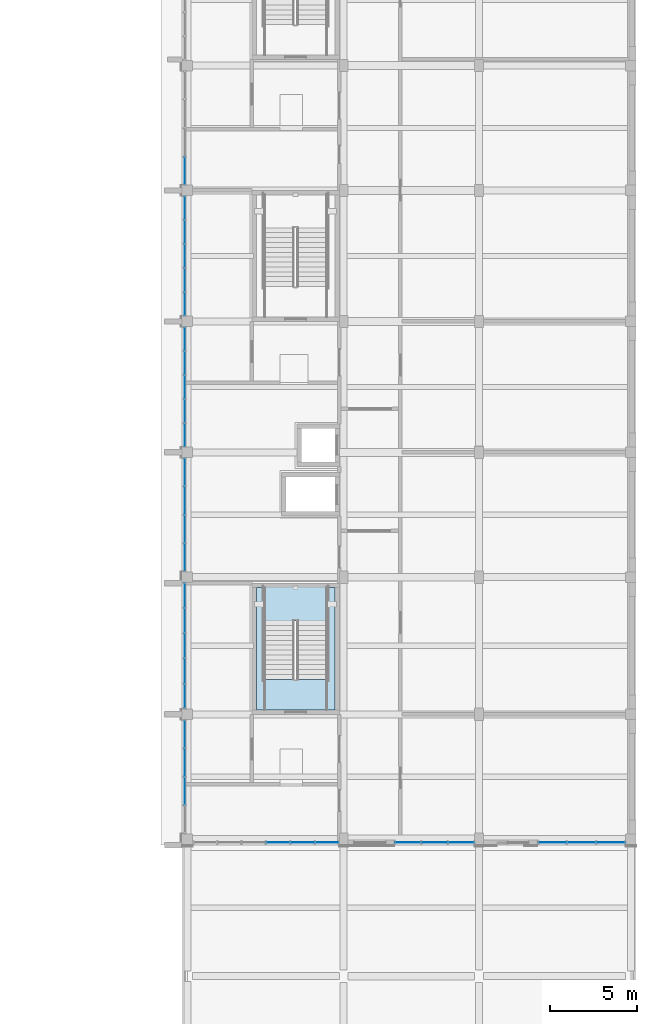
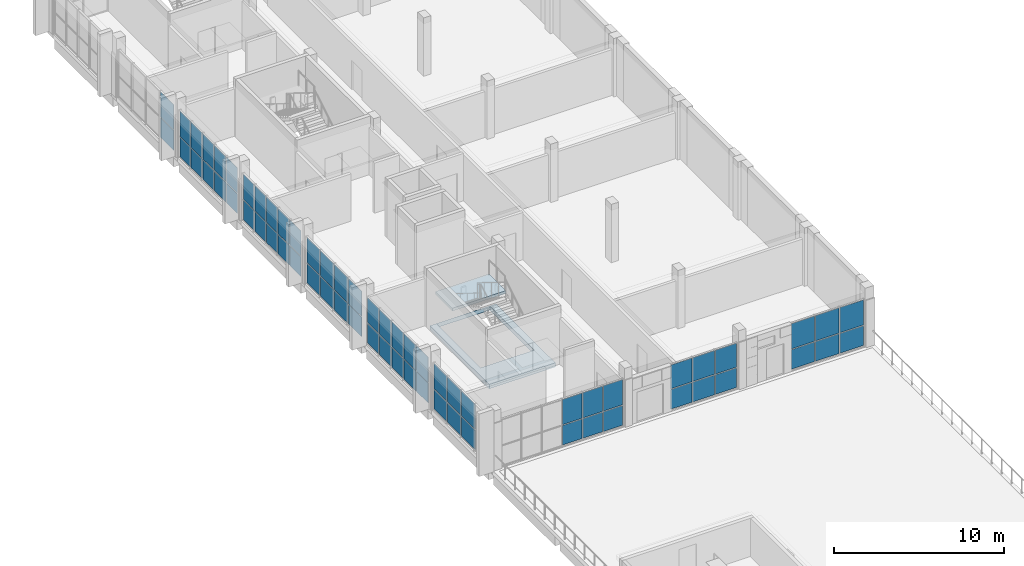
# One storey, part 24 of 42: 64 plates, 2 slabs, 10 elements without a shape of their own.
"""IFC4 building model written with IfcOpenShell, lengths in metres."""

from ifc_helpers import new_model, si_unit, direction, frame, origin, origin_2d, place, context, subcontext, project, spatial, polyline, rectangle, outline, extrude, material, layer, layer_set, type_object, element, aggregate, save


model = new_model("IFC4")

# Units and contexts
model_context = context("Model", 3, precision=1e-05, world=origin(), true_north=direction((0.0, 1.0)))
body_context = subcontext(model_context, "Body", "Model", "MODEL_VIEW")
ifc_project = project(units=[si_unit("LENGTHUNIT", "METRE"), si_unit("AREAUNIT", "SQUARE_METRE"), si_unit("VOLUMEUNIT", "CUBIC_METRE"), si_unit("PLANEANGLEUNIT", "RADIAN"), si_unit("MASSUNIT", "GRAM", prefix="KILO")], contexts=[model_context])

# Site, building, storey
site_placement = place(None, origin())
site = spatial("IfcSite", under=ifc_project, at=site_placement, CompositionType="ELEMENT")
building_placement = place(site_placement, origin())
building = spatial("IfcBuilding", under=site, at=building_placement, Name="Sun Court Science Centre", CompositionType="ELEMENT")
storey_placement = place(building_placement, frame((0.0, 0.0, 20.25)))
storey = spatial("IfcBuildingStorey", under=building, at=storey_placement, Name="L04", CompositionType="ELEMENT", Elevation=20.25)

# Slab
ifc_material_1 = material(Name="Concrete C25/30", Category="concrete")
ifc_layer_1 = layer(ifc_material_1, 0.300048828125)
ifc_layer_set_1 = layer_set([ifc_layer_1], Name="Concrete C25/30")
slab_type_1 = type_object("IfcSlabType", Name="RC floor slab 300", PredefinedType="FLOOR", material=ifc_layer_set_1)
slab_1_placement = place(storey_placement, frame((0.0, 0.0, -0.300048828125)))
element("IfcSlab", 1, at=slab_1_placement, inside=storey, type_object=slab_type_1, Name="Stair SL2 landing slab L04", PredefinedType="FLOOR", context=body_context, shape_type="SweptSolid", body=[
    extrude(outline(polyline([(82.25, 43.25), (82.25, 36.25), (86.75, 36.25), (86.75, 43.25), (82.25, 43.25)]), holes=[polyline([(86.322998046875, 43.2451171875), (86.322998046875, 38.0029296875), (82.677001953125, 38.0029296875), (82.677001953125, 43.2451171875), (86.322998046875, 43.2451171875)])]), origin(), (0.0, 0.0, 1.0), 0.300048828125),
])

# Curtain wall, plates
ifc_material_2 = material(Name="Aluminium EN AW-6063 T6", Category="aluminium")
curtain_wall_type = type_object("IfcCurtainWallType", Name="Laboratory tall bay curtain wall 1500", PredefinedType="NOTDEFINED", material=ifc_material_2)
curtain_wall_1_placement = place(storey_placement, origin())
curtain_wall_1 = element("IfcCurtainWall", 2, at=curtain_wall_1_placement, inside=storey, type_object=curtain_wall_type, Name="Curtain wall V4 W L04 01", PredefinedType="NOTDEFINED")
ifc_material_3 = material(Name="Solar-control glass", Category="glass")
ifc_layer_2 = layer(ifc_material_3, 0.028076171875)
ifc_layer_set_2 = layer_set([ifc_layer_2], Name="Solar-control glass")
plate_type = type_object("IfcPlateType", Name="Solar-control glazing panel 8-12-8", PredefinedType="CURTAIN_PANEL", material=ifc_layer_set_2)
plate_1_placement = place(storey_placement, frame((78.14990234375, 31.606201171875, 0.06005859375), z_axis=(0.0, 0.0, 1.0), x_axis=(0.0, 1.0, 0.0)))
plate_1 = element("IfcPlate", 3, at=plate_1_placement, type_object=plate_type, Name="CW2-37 panel 2.1", PredefinedType="CURTAIN_PANEL", context=body_context, shape_type="SweptSolid", body=[
    extrude(rectangle(XDim=1.577392578125, YDim=0.028076171875, at=origin_2d()), origin(), (0.0, 0.0, 1.0), 1.409912109375),
])
plate_2_placement = place(storey_placement, frame((78.14990234375, 33.24365234375, 0.06005859375), z_axis=(0.0, 0.0, 1.0), x_axis=(0.0, 1.0, 0.0)))
plate_2 = element("IfcPlate", 4, at=plate_2_placement, type_object=plate_type, Name="CW2-37 panel 3.1", PredefinedType="CURTAIN_PANEL", context=body_context, shape_type="SweptSolid", body=[
    extrude(rectangle(XDim=1.577392578125, YDim=0.028076171875, at=origin_2d()), origin(), (0.0, 0.0, 1.0), 1.409912109375),
])
plate_3_placement = place(storey_placement, frame((78.14990234375, 34.8662109375, 0.06005859375), z_axis=(0.0, 0.0, 1.0), x_axis=(0.0, 1.0, 0.0)))
plate_3 = element("IfcPlate", 5, at=plate_3_placement, type_object=plate_type, Name="CW2-37 panel 4.1", PredefinedType="CURTAIN_PANEL", context=body_context, shape_type="SweptSolid", body=[
    extrude(rectangle(XDim=1.547607421875, YDim=0.028076171875, at=origin_2d()), origin(), (0.0, 0.0, 1.0), 1.409912109375),
])
plate_4_placement = place(storey_placement, frame((78.14990234375, 31.606201171875, 1.530029296875), z_axis=(0.0, 0.0, 1.0), x_axis=(0.0, 1.0, 0.0)))
plate_4 = element("IfcPlate", 6, at=plate_4_placement, type_object=plate_type, Name="CW2-37 panel 2.2", PredefinedType="CURTAIN_PANEL", context=body_context, shape_type="SweptSolid", body=[
    extrude(rectangle(XDim=1.577392578125, YDim=0.028076171875, at=origin_2d()), origin(), (0.0, 0.0, 1.0), 1.81005859375),
])
plate_5_placement = place(storey_placement, frame((78.14990234375, 33.24365234375, 1.530029296875), z_axis=(0.0, 0.0, 1.0), x_axis=(0.0, 1.0, 0.0)))
plate_5 = element("IfcPlate", 7, at=plate_5_placement, type_object=plate_type, Name="CW2-37 panel 3.2", PredefinedType="CURTAIN_PANEL", context=body_context, shape_type="SweptSolid", body=[
    extrude(rectangle(XDim=1.577392578125, YDim=0.028076171875, at=origin_2d()), origin(), (0.0, 0.0, 1.0), 1.81005859375),
])
plate_6_placement = place(storey_placement, frame((78.14990234375, 34.8662109375, 1.530029296875), z_axis=(0.0, 0.0, 1.0), x_axis=(0.0, 1.0, 0.0)))
plate_6 = element("IfcPlate", 8, at=plate_6_placement, type_object=plate_type, Name="CW2-37 panel 4.2", PredefinedType="CURTAIN_PANEL", context=body_context, shape_type="SweptSolid", body=[
    extrude(rectangle(XDim=1.547607421875, YDim=0.028076171875, at=origin_2d()), origin(), (0.0, 0.0, 1.0), 1.81005859375),
])
aggregate(curtain_wall_1, [plate_1, plate_2, plate_3, plate_4, plate_5, plate_6])

curtain_wall_2_placement = place(storey_placement, origin())
curtain_wall_2 = element("IfcCurtainWall", 9, at=curtain_wall_2_placement, inside=storey, type_object=curtain_wall_type, Name="Curtain wall V4 W L04 02", PredefinedType="NOTDEFINED")
plate_7_placement = place(storey_placement, frame((78.14990234375, 37.0400390625, 0.06005859375), z_axis=(0.0, 0.0, 1.0), x_axis=(0.0, 1.0, 0.0)))
plate_7 = element("IfcPlate", 10, at=plate_7_placement, type_object=plate_type, Name="CW2-38 panel 1.1", PredefinedType="CURTAIN_PANEL", context=body_context, shape_type="SweptSolid", body=[
    extrude(rectangle(XDim=1.360107421875, YDim=0.028076171875, at=origin_2d()), origin(), (0.0, 0.0, 1.0), 1.409912109375),
])
plate_8_placement = place(storey_placement, frame((78.14990234375, 38.47509765625, 0.06005859375), z_axis=(0.0, 0.0, 1.0), x_axis=(0.0, 1.0, 0.0)))
plate_8 = element("IfcPlate", 11, at=plate_8_placement, type_object=plate_type, Name="CW2-38 panel 2.1", PredefinedType="CURTAIN_PANEL", context=body_context, shape_type="SweptSolid", body=[
    extrude(rectangle(XDim=1.389892578125, YDim=0.028076171875, at=origin_2d()), origin(), (0.0, 0.0, 1.0), 1.409912109375),
])
plate_9_placement = place(storey_placement, frame((78.14990234375, 39.925048828125, 0.06005859375), z_axis=(0.0, 0.0, 1.0), x_axis=(0.0, 1.0, 0.0)))
plate_9 = element("IfcPlate", 12, at=plate_9_placement, type_object=plate_type, Name="CW2-38 panel 3.1", PredefinedType="CURTAIN_PANEL", context=body_context, shape_type="SweptSolid", body=[
    extrude(rectangle(XDim=1.389892578125, YDim=0.028076171875, at=origin_2d()), origin(), (0.0, 0.0, 1.0), 1.409912109375),
])
plate_10_placement = place(storey_placement, frame((78.14990234375, 41.375, 0.06005859375), z_axis=(0.0, 0.0, 1.0), x_axis=(0.0, 1.0, 0.0)))
plate_10 = element("IfcPlate", 13, at=plate_10_placement, type_object=plate_type, Name="CW2-38 panel 4.1", PredefinedType="CURTAIN_PANEL", context=body_context, shape_type="SweptSolid", body=[
    extrude(rectangle(XDim=1.389892578125, YDim=0.028076171875, at=origin_2d()), origin(), (0.0, 0.0, 1.0), 1.409912109375),
])
plate_11_placement = place(storey_placement, frame((78.14990234375, 42.81005859375, 0.06005859375), z_axis=(0.0, 0.0, 1.0), x_axis=(0.0, 1.0, 0.0)))
plate_11 = element("IfcPlate", 14, at=plate_11_placement, type_object=plate_type, Name="CW2-38 panel 5.1", PredefinedType="CURTAIN_PANEL", context=body_context, shape_type="SweptSolid", body=[
    extrude(rectangle(XDim=1.360107421875, YDim=0.028076171875, at=origin_2d()), origin(), (0.0, 0.0, 1.0), 1.409912109375),
])
plate_12_placement = place(storey_placement, frame((78.14990234375, 37.0400390625, 1.530029296875), z_axis=(0.0, 0.0, 1.0), x_axis=(0.0, 1.0, 0.0)))
plate_12 = element("IfcPlate", 15, at=plate_12_placement, type_object=plate_type, Name="CW2-38 panel 1.2", PredefinedType="CURTAIN_PANEL", context=body_context, shape_type="SweptSolid", body=[
    extrude(rectangle(XDim=1.360107421875, YDim=0.028076171875, at=origin_2d()), origin(), (0.0, 0.0, 1.0), 1.81005859375),
])
plate_13_placement = place(storey_placement, frame((78.14990234375, 38.47509765625, 1.530029296875), z_axis=(0.0, 0.0, 1.0), x_axis=(0.0, 1.0, 0.0)))
plate_13 = element("IfcPlate", 16, at=plate_13_placement, type_object=plate_type, Name="CW2-38 panel 2.2", PredefinedType="CURTAIN_PANEL", context=body_context, shape_type="SweptSolid", body=[
    extrude(rectangle(XDim=1.389892578125, YDim=0.028076171875, at=origin_2d()), origin(), (0.0, 0.0, 1.0), 1.81005859375),
])
plate_14_placement = place(storey_placement, frame((78.14990234375, 39.925048828125, 1.530029296875), z_axis=(0.0, 0.0, 1.0), x_axis=(0.0, 1.0, 0.0)))
plate_14 = element("IfcPlate", 17, at=plate_14_placement, type_object=plate_type, Name="CW2-38 panel 3.2", PredefinedType="CURTAIN_PANEL", context=body_context, shape_type="SweptSolid", body=[
    extrude(rectangle(XDim=1.389892578125, YDim=0.028076171875, at=origin_2d()), origin(), (0.0, 0.0, 1.0), 1.81005859375),
])
plate_15_placement = place(storey_placement, frame((78.14990234375, 41.375, 1.530029296875), z_axis=(0.0, 0.0, 1.0), x_axis=(0.0, 1.0, 0.0)))
plate_15 = element("IfcPlate", 18, at=plate_15_placement, type_object=plate_type, Name="CW2-38 panel 4.2", PredefinedType="CURTAIN_PANEL", context=body_context, shape_type="SweptSolid", body=[
    extrude(rectangle(XDim=1.389892578125, YDim=0.028076171875, at=origin_2d()), origin(), (0.0, 0.0, 1.0), 1.81005859375),
])
plate_16_placement = place(storey_placement, frame((78.14990234375, 42.81005859375, 1.530029296875), z_axis=(0.0, 0.0, 1.0), x_axis=(0.0, 1.0, 0.0)))
plate_16 = element("IfcPlate", 19, at=plate_16_placement, type_object=plate_type, Name="CW2-38 panel 5.2", PredefinedType="CURTAIN_PANEL", context=body_context, shape_type="SweptSolid", body=[
    extrude(rectangle(XDim=1.360107421875, YDim=0.028076171875, at=origin_2d()), origin(), (0.0, 0.0, 1.0), 1.81005859375),
])
aggregate(curtain_wall_2, [plate_7, plate_8, plate_9, plate_10, plate_11, plate_12, plate_13, plate_14, plate_15, plate_16])

curtain_wall_3_placement = place(storey_placement, origin())
curtain_wall_3 = element("IfcCurtainWall", 20, at=curtain_wall_3_placement, inside=storey, type_object=curtain_wall_type, Name="Curtain wall V4 W L04 03", PredefinedType="NOTDEFINED")
plate_17_placement = place(storey_placement, frame((78.14990234375, 44.983642578125, 0.06005859375), z_axis=(0.0, 0.0, 1.0), x_axis=(0.0, 1.0, 0.0)))
plate_17 = element("IfcPlate", 21, at=plate_17_placement, type_object=plate_type, Name="CW2-39 panel 1.1", PredefinedType="CURTAIN_PANEL", context=body_context, shape_type="SweptSolid", body=[
    extrude(rectangle(XDim=1.547607421875, YDim=0.028076171875, at=origin_2d()), origin(), (0.0, 0.0, 1.0), 1.409912109375),
])
plate_18_placement = place(storey_placement, frame((78.14990234375, 46.606201171875, 0.06005859375), z_axis=(0.0, 0.0, 1.0), x_axis=(0.0, 1.0, 0.0)))
plate_18 = element("IfcPlate", 22, at=plate_18_placement, type_object=plate_type, Name="CW2-39 panel 2.1", PredefinedType="CURTAIN_PANEL", context=body_context, shape_type="SweptSolid", body=[
    extrude(rectangle(XDim=1.577392578125, YDim=0.028076171875, at=origin_2d()), origin(), (0.0, 0.0, 1.0), 1.409912109375),
])
plate_19_placement = place(storey_placement, frame((78.14990234375, 48.24365234375, 0.06005859375), z_axis=(0.0, 0.0, 1.0), x_axis=(0.0, 1.0, 0.0)))
plate_19 = element("IfcPlate", 23, at=plate_19_placement, type_object=plate_type, Name="CW2-39 panel 3.1", PredefinedType="CURTAIN_PANEL", context=body_context, shape_type="SweptSolid", body=[
    extrude(rectangle(XDim=1.577392578125, YDim=0.028076171875, at=origin_2d()), origin(), (0.0, 0.0, 1.0), 1.409912109375),
])
plate_20_placement = place(storey_placement, frame((78.14990234375, 49.8662109375, 0.06005859375), z_axis=(0.0, 0.0, 1.0), x_axis=(0.0, 1.0, 0.0)))
plate_20 = element("IfcPlate", 24, at=plate_20_placement, type_object=plate_type, Name="CW2-39 panel 4.1", PredefinedType="CURTAIN_PANEL", context=body_context, shape_type="SweptSolid", body=[
    extrude(rectangle(XDim=1.547607421875, YDim=0.028076171875, at=origin_2d()), origin(), (0.0, 0.0, 1.0), 1.409912109375),
])
plate_21_placement = place(storey_placement, frame((78.14990234375, 44.983642578125, 1.530029296875), z_axis=(0.0, 0.0, 1.0), x_axis=(0.0, 1.0, 0.0)))
plate_21 = element("IfcPlate", 25, at=plate_21_placement, type_object=plate_type, Name="CW2-39 panel 1.2", PredefinedType="CURTAIN_PANEL", context=body_context, shape_type="SweptSolid", body=[
    extrude(rectangle(XDim=1.547607421875, YDim=0.028076171875, at=origin_2d()), origin(), (0.0, 0.0, 1.0), 1.81005859375),
])
plate_22_placement = place(storey_placement, frame((78.14990234375, 46.606201171875, 1.530029296875), z_axis=(0.0, 0.0, 1.0), x_axis=(0.0, 1.0, 0.0)))
plate_22 = element("IfcPlate", 26, at=plate_22_placement, type_object=plate_type, Name="CW2-39 panel 2.2", PredefinedType="CURTAIN_PANEL", context=body_context, shape_type="SweptSolid", body=[
    extrude(rectangle(XDim=1.577392578125, YDim=0.028076171875, at=origin_2d()), origin(), (0.0, 0.0, 1.0), 1.81005859375),
])
plate_23_placement = place(storey_placement, frame((78.14990234375, 48.24365234375, 1.530029296875), z_axis=(0.0, 0.0, 1.0), x_axis=(0.0, 1.0, 0.0)))
plate_23 = element("IfcPlate", 27, at=plate_23_placement, type_object=plate_type, Name="CW2-39 panel 3.2", PredefinedType="CURTAIN_PANEL", context=body_context, shape_type="SweptSolid", body=[
    extrude(rectangle(XDim=1.577392578125, YDim=0.028076171875, at=origin_2d()), origin(), (0.0, 0.0, 1.0), 1.81005859375),
])
plate_24_placement = place(storey_placement, frame((78.14990234375, 49.8662109375, 1.530029296875), z_axis=(0.0, 0.0, 1.0), x_axis=(0.0, 1.0, 0.0)))
plate_24 = element("IfcPlate", 28, at=plate_24_placement, type_object=plate_type, Name="CW2-39 panel 4.2", PredefinedType="CURTAIN_PANEL", context=body_context, shape_type="SweptSolid", body=[
    extrude(rectangle(XDim=1.547607421875, YDim=0.028076171875, at=origin_2d()), origin(), (0.0, 0.0, 1.0), 1.81005859375),
])
aggregate(curtain_wall_3, [plate_17, plate_18, plate_19, plate_20, plate_21, plate_22, plate_23, plate_24])

curtain_wall_4_placement = place(storey_placement, origin())
curtain_wall_4 = element("IfcCurtainWall", 29, at=curtain_wall_4_placement, inside=storey, type_object=curtain_wall_type, Name="Curtain wall V4 W L04 04", PredefinedType="NOTDEFINED")
plate_25_placement = place(storey_placement, frame((78.14990234375, 52.0048828125, 0.06005859375), z_axis=(0.0, 0.0, 1.0), x_axis=(0.0, 1.0, 0.0)))
plate_25 = element("IfcPlate", 30, at=plate_25_placement, type_object=plate_type, Name="CW2-40 panel 1.1", PredefinedType="CURTAIN_PANEL", context=body_context, shape_type="SweptSolid", body=[
    extrude(rectangle(XDim=1.2900390625, YDim=0.028076171875, at=origin_2d()), origin(), (0.0, 0.0, 1.0), 1.409912109375),
])
plate_26_placement = place(storey_placement, frame((78.14990234375, 53.3701171875, 0.06005859375), z_axis=(0.0, 0.0, 1.0), x_axis=(0.0, 1.0, 0.0)))
plate_26 = element("IfcPlate", 31, at=plate_26_placement, type_object=plate_type, Name="CW2-40 panel 2.1", PredefinedType="CURTAIN_PANEL", context=body_context, shape_type="SweptSolid", body=[
    extrude(rectangle(XDim=1.320068359375, YDim=0.028076171875, at=origin_2d()), origin(), (0.0, 0.0, 1.0), 1.409912109375),
])
plate_27_placement = place(storey_placement, frame((78.14990234375, 54.75, 0.06005859375), z_axis=(0.0, 0.0, 1.0), x_axis=(0.0, 1.0, 0.0)))
plate_27 = element("IfcPlate", 32, at=plate_27_placement, type_object=plate_type, Name="CW2-40 panel 3.1", PredefinedType="CURTAIN_PANEL", context=body_context, shape_type="SweptSolid", body=[
    extrude(rectangle(XDim=1.320068359375, YDim=0.028076171875, at=origin_2d()), origin(), (0.0, 0.0, 1.0), 1.409912109375),
])
plate_28_placement = place(storey_placement, frame((78.14990234375, 56.1298828125, 0.06005859375), z_axis=(0.0, 0.0, 1.0), x_axis=(0.0, 1.0, 0.0)))
plate_28 = element("IfcPlate", 33, at=plate_28_placement, type_object=plate_type, Name="CW2-40 panel 4.1", PredefinedType="CURTAIN_PANEL", context=body_context, shape_type="SweptSolid", body=[
    extrude(rectangle(XDim=1.320068359375, YDim=0.028076171875, at=origin_2d()), origin(), (0.0, 0.0, 1.0), 1.409912109375),
])
plate_29_placement = place(storey_placement, frame((78.14990234375, 57.4951171875, 0.06005859375), z_axis=(0.0, 0.0, 1.0), x_axis=(0.0, 1.0, 0.0)))
plate_29 = element("IfcPlate", 34, at=plate_29_placement, type_object=plate_type, Name="CW2-40 panel 5.1", PredefinedType="CURTAIN_PANEL", context=body_context, shape_type="SweptSolid", body=[
    extrude(rectangle(XDim=1.2900390625, YDim=0.028076171875, at=origin_2d()), origin(), (0.0, 0.0, 1.0), 1.409912109375),
])
plate_30_placement = place(storey_placement, frame((78.14990234375, 52.0048828125, 1.530029296875), z_axis=(0.0, 0.0, 1.0), x_axis=(0.0, 1.0, 0.0)))
plate_30 = element("IfcPlate", 35, at=plate_30_placement, type_object=plate_type, Name="CW2-40 panel 1.2", PredefinedType="CURTAIN_PANEL", context=body_context, shape_type="SweptSolid", body=[
    extrude(rectangle(XDim=1.2900390625, YDim=0.028076171875, at=origin_2d()), origin(), (0.0, 0.0, 1.0), 1.81005859375),
])
plate_31_placement = place(storey_placement, frame((78.14990234375, 53.3701171875, 1.530029296875), z_axis=(0.0, 0.0, 1.0), x_axis=(0.0, 1.0, 0.0)))
plate_31 = element("IfcPlate", 36, at=plate_31_placement, type_object=plate_type, Name="CW2-40 panel 2.2", PredefinedType="CURTAIN_PANEL", context=body_context, shape_type="SweptSolid", body=[
    extrude(rectangle(XDim=1.320068359375, YDim=0.028076171875, at=origin_2d()), origin(), (0.0, 0.0, 1.0), 1.81005859375),
])
plate_32_placement = place(storey_placement, frame((78.14990234375, 54.75, 1.530029296875), z_axis=(0.0, 0.0, 1.0), x_axis=(0.0, 1.0, 0.0)))
plate_32 = element("IfcPlate", 37, at=plate_32_placement, type_object=plate_type, Name="CW2-40 panel 3.2", PredefinedType="CURTAIN_PANEL", context=body_context, shape_type="SweptSolid", body=[
    extrude(rectangle(XDim=1.320068359375, YDim=0.028076171875, at=origin_2d()), origin(), (0.0, 0.0, 1.0), 1.81005859375),
])
plate_33_placement = place(storey_placement, frame((78.14990234375, 56.1298828125, 1.530029296875), z_axis=(0.0, 0.0, 1.0), x_axis=(0.0, 1.0, 0.0)))
plate_33 = element("IfcPlate", 38, at=plate_33_placement, type_object=plate_type, Name="CW2-40 panel 4.2", PredefinedType="CURTAIN_PANEL", context=body_context, shape_type="SweptSolid", body=[
    extrude(rectangle(XDim=1.320068359375, YDim=0.028076171875, at=origin_2d()), origin(), (0.0, 0.0, 1.0), 1.81005859375),
])
plate_34_placement = place(storey_placement, frame((78.14990234375, 57.4951171875, 1.530029296875), z_axis=(0.0, 0.0, 1.0), x_axis=(0.0, 1.0, 0.0)))
plate_34 = element("IfcPlate", 39, at=plate_34_placement, type_object=plate_type, Name="CW2-40 panel 5.2", PredefinedType="CURTAIN_PANEL", context=body_context, shape_type="SweptSolid", body=[
    extrude(rectangle(XDim=1.2900390625, YDim=0.028076171875, at=origin_2d()), origin(), (0.0, 0.0, 1.0), 1.81005859375),
])
aggregate(curtain_wall_4, [plate_25, plate_26, plate_27, plate_28, plate_29, plate_30, plate_31, plate_32, plate_33, plate_34])

curtain_wall_5_placement = place(storey_placement, origin())
curtain_wall_5 = element("IfcCurtainWall", 40, at=curtain_wall_5_placement, inside=storey, type_object=curtain_wall_type, Name="Curtain wall V4 W L04 05", PredefinedType="NOTDEFINED")
plate_35_placement = place(storey_placement, frame((78.14990234375, 59.5048828125, 0.06005859375), z_axis=(0.0, 0.0, 1.0), x_axis=(0.0, 1.0, 0.0)))
plate_35 = element("IfcPlate", 41, at=plate_35_placement, type_object=plate_type, Name="CW2-41 panel 1.1", PredefinedType="CURTAIN_PANEL", context=body_context, shape_type="SweptSolid", body=[
    extrude(rectangle(XDim=1.2900390625, YDim=0.028076171875, at=origin_2d()), origin(), (0.0, 0.0, 1.0), 1.409912109375),
])
plate_36_placement = place(storey_placement, frame((78.14990234375, 60.8701171875, 0.06005859375), z_axis=(0.0, 0.0, 1.0), x_axis=(0.0, 1.0, 0.0)))
plate_36 = element("IfcPlate", 42, at=plate_36_placement, type_object=plate_type, Name="CW2-41 panel 2.1", PredefinedType="CURTAIN_PANEL", context=body_context, shape_type="SweptSolid", body=[
    extrude(rectangle(XDim=1.320068359375, YDim=0.028076171875, at=origin_2d()), origin(), (0.0, 0.0, 1.0), 1.409912109375),
])
plate_37_placement = place(storey_placement, frame((78.14990234375, 62.25, 0.06005859375), z_axis=(0.0, 0.0, 1.0), x_axis=(0.0, 1.0, 0.0)))
plate_37 = element("IfcPlate", 43, at=plate_37_placement, type_object=plate_type, Name="CW2-41 panel 3.1", PredefinedType="CURTAIN_PANEL", context=body_context, shape_type="SweptSolid", body=[
    extrude(rectangle(XDim=1.320068359375, YDim=0.028076171875, at=origin_2d()), origin(), (0.0, 0.0, 1.0), 1.409912109375),
])
plate_38_placement = place(storey_placement, frame((78.14990234375, 63.6298828125, 0.06005859375), z_axis=(0.0, 0.0, 1.0), x_axis=(0.0, 1.0, 0.0)))
plate_38 = element("IfcPlate", 44, at=plate_38_placement, type_object=plate_type, Name="CW2-41 panel 4.1", PredefinedType="CURTAIN_PANEL", context=body_context, shape_type="SweptSolid", body=[
    extrude(rectangle(XDim=1.320068359375, YDim=0.028076171875, at=origin_2d()), origin(), (0.0, 0.0, 1.0), 1.409912109375),
])
plate_39_placement = place(storey_placement, frame((78.14990234375, 64.9951171875, 0.06005859375), z_axis=(0.0, 0.0, 1.0), x_axis=(0.0, 1.0, 0.0)))
plate_39 = element("IfcPlate", 45, at=plate_39_placement, type_object=plate_type, Name="CW2-41 panel 5.1", PredefinedType="CURTAIN_PANEL", context=body_context, shape_type="SweptSolid", body=[
    extrude(rectangle(XDim=1.2900390625, YDim=0.028076171875, at=origin_2d()), origin(), (0.0, 0.0, 1.0), 1.409912109375),
])
plate_40_placement = place(storey_placement, frame((78.14990234375, 59.5048828125, 1.530029296875), z_axis=(0.0, 0.0, 1.0), x_axis=(0.0, 1.0, 0.0)))
plate_40 = element("IfcPlate", 46, at=plate_40_placement, type_object=plate_type, Name="CW2-41 panel 1.2", PredefinedType="CURTAIN_PANEL", context=body_context, shape_type="SweptSolid", body=[
    extrude(rectangle(XDim=1.2900390625, YDim=0.028076171875, at=origin_2d()), origin(), (0.0, 0.0, 1.0), 1.81005859375),
])
plate_41_placement = place(storey_placement, frame((78.14990234375, 60.8701171875, 1.530029296875), z_axis=(0.0, 0.0, 1.0), x_axis=(0.0, 1.0, 0.0)))
plate_41 = element("IfcPlate", 47, at=plate_41_placement, type_object=plate_type, Name="CW2-41 panel 2.2", PredefinedType="CURTAIN_PANEL", context=body_context, shape_type="SweptSolid", body=[
    extrude(rectangle(XDim=1.320068359375, YDim=0.028076171875, at=origin_2d()), origin(), (0.0, 0.0, 1.0), 1.81005859375),
])
plate_42_placement = place(storey_placement, frame((78.14990234375, 62.25, 1.530029296875), z_axis=(0.0, 0.0, 1.0), x_axis=(0.0, 1.0, 0.0)))
plate_42 = element("IfcPlate", 48, at=plate_42_placement, type_object=plate_type, Name="CW2-41 panel 3.2", PredefinedType="CURTAIN_PANEL", context=body_context, shape_type="SweptSolid", body=[
    extrude(rectangle(XDim=1.320068359375, YDim=0.028076171875, at=origin_2d()), origin(), (0.0, 0.0, 1.0), 1.81005859375),
])
plate_43_placement = place(storey_placement, frame((78.14990234375, 63.6298828125, 1.530029296875), z_axis=(0.0, 0.0, 1.0), x_axis=(0.0, 1.0, 0.0)))
plate_43 = element("IfcPlate", 49, at=plate_43_placement, type_object=plate_type, Name="CW2-41 panel 4.2", PredefinedType="CURTAIN_PANEL", context=body_context, shape_type="SweptSolid", body=[
    extrude(rectangle(XDim=1.320068359375, YDim=0.028076171875, at=origin_2d()), origin(), (0.0, 0.0, 1.0), 1.81005859375),
])
plate_44_placement = place(storey_placement, frame((78.14990234375, 64.9951171875, 1.530029296875), z_axis=(0.0, 0.0, 1.0), x_axis=(0.0, 1.0, 0.0)))
plate_44 = element("IfcPlate", 50, at=plate_44_placement, type_object=plate_type, Name="CW2-41 panel 5.2", PredefinedType="CURTAIN_PANEL", context=body_context, shape_type="SweptSolid", body=[
    extrude(rectangle(XDim=1.2900390625, YDim=0.028076171875, at=origin_2d()), origin(), (0.0, 0.0, 1.0), 1.81005859375),
])
aggregate(curtain_wall_5, [plate_35, plate_36, plate_37, plate_38, plate_39, plate_40, plate_41, plate_42, plate_43, plate_44])

curtain_wall_6_placement = place(storey_placement, origin())
curtain_wall_6 = element("IfcCurtainWall", 51, at=curtain_wall_6_placement, inside=storey, type_object=curtain_wall_type, Name="Curtain wall V4 W L04 06", PredefinedType="NOTDEFINED")
plate_45_placement = place(storey_placement, frame((78.14990234375, 67.1337890625, 0.06005859375), z_axis=(0.0, 0.0, 1.0), x_axis=(0.0, 1.0, 0.0)))
plate_45 = element("IfcPlate", 52, at=plate_45_placement, type_object=plate_type, Name="CW2-42 panel 1.1", PredefinedType="CURTAIN_PANEL", context=body_context, shape_type="SweptSolid", body=[
    extrude(rectangle(XDim=1.547607421875, YDim=0.028076171875, at=origin_2d()), origin(), (0.0, 0.0, 1.0), 1.409912109375),
])
plate_46_placement = place(storey_placement, frame((78.14990234375, 67.1337890625, 1.530029296875), z_axis=(0.0, 0.0, 1.0), x_axis=(0.0, 1.0, 0.0)))
plate_46 = element("IfcPlate", 53, at=plate_46_placement, type_object=plate_type, Name="CW2-42 panel 1.2", PredefinedType="CURTAIN_PANEL", context=body_context, shape_type="SweptSolid", body=[
    extrude(rectangle(XDim=1.547607421875, YDim=0.028076171875, at=origin_2d()), origin(), (0.0, 0.0, 1.0), 1.81005859375),
])
aggregate(curtain_wall_6, [plate_45, plate_46])

curtain_wall_7_placement = place(storey_placement, origin())
curtain_wall_7 = element("IfcCurtainWall", 54, at=curtain_wall_7_placement, inside=storey, type_object=curtain_wall_type, Name="Curtain wall V4 S4 L04 01", PredefinedType="NOTDEFINED")
plate_47_placement = place(storey_placement, frame((99.206787109375, 28.64990234375, 0.06005859375), z_axis=(0.0, 0.0, 1.0), x_axis=(-1.0, 0.0, 0.0)))
plate_47 = element("IfcPlate", 55, at=plate_47_placement, type_object=plate_type, Name="CW2-55 panel 3.1", PredefinedType="CURTAIN_PANEL", context=body_context, shape_type="SweptSolid", body=[
    extrude(rectangle(XDim=1.59326171875, YDim=0.028076171875, at=origin_2d()), origin(), (0.0, 0.0, 1.0), 1.409912109375),
])
plate_48_placement = place(storey_placement, frame((100.875, 28.64990234375, 0.06005859375), z_axis=(0.0, 0.0, 1.0), x_axis=(-1.0, 0.0, 0.0)))
plate_48 = element("IfcPlate", 56, at=plate_48_placement, type_object=plate_type, Name="CW2-55 panel 2.1", PredefinedType="CURTAIN_PANEL", context=body_context, shape_type="SweptSolid", body=[
    extrude(rectangle(XDim=1.623291015625, YDim=0.028076171875, at=origin_2d()), origin(), (0.0, 0.0, 1.0), 1.409912109375),
])
plate_49_placement = place(storey_placement, frame((102.543212890625, 28.64990234375, 0.06005859375), z_axis=(0.0, 0.0, 1.0), x_axis=(-1.0, 0.0, 0.0)))
plate_49 = element("IfcPlate", 57, at=plate_49_placement, type_object=plate_type, Name="CW2-55 panel 1.1", PredefinedType="CURTAIN_PANEL", context=body_context, shape_type="SweptSolid", body=[
    extrude(rectangle(XDim=1.59326171875, YDim=0.028076171875, at=origin_2d()), origin(), (0.0, 0.0, 1.0), 1.409912109375),
])
plate_50_placement = place(storey_placement, frame((99.206787109375, 28.64990234375, 1.530029296875), z_axis=(0.0, 0.0, 1.0), x_axis=(-1.0, 0.0, 0.0)))
plate_50 = element("IfcPlate", 58, at=plate_50_placement, type_object=plate_type, Name="CW2-55 panel 3.2", PredefinedType="CURTAIN_PANEL", context=body_context, shape_type="SweptSolid", body=[
    extrude(rectangle(XDim=1.59326171875, YDim=0.028076171875, at=origin_2d()), origin(), (0.0, 0.0, 1.0), 1.81005859375),
])
plate_51_placement = place(storey_placement, frame((100.875, 28.64990234375, 1.530029296875), z_axis=(0.0, 0.0, 1.0), x_axis=(-1.0, 0.0, 0.0)))
plate_51 = element("IfcPlate", 59, at=plate_51_placement, type_object=plate_type, Name="CW2-55 panel 2.2", PredefinedType="CURTAIN_PANEL", context=body_context, shape_type="SweptSolid", body=[
    extrude(rectangle(XDim=1.623291015625, YDim=0.028076171875, at=origin_2d()), origin(), (0.0, 0.0, 1.0), 1.81005859375),
])
plate_52_placement = place(storey_placement, frame((102.543212890625, 28.64990234375, 1.530029296875), z_axis=(0.0, 0.0, 1.0), x_axis=(-1.0, 0.0, 0.0)))
plate_52 = element("IfcPlate", 60, at=plate_52_placement, type_object=plate_type, Name="CW2-55 panel 1.2", PredefinedType="CURTAIN_PANEL", context=body_context, shape_type="SweptSolid", body=[
    extrude(rectangle(XDim=1.59326171875, YDim=0.028076171875, at=origin_2d()), origin(), (0.0, 0.0, 1.0), 1.81005859375),
])
aggregate(curtain_wall_7, [plate_47, plate_48, plate_49, plate_50, plate_51, plate_52])

curtain_wall_8_placement = place(storey_placement, origin())
curtain_wall_8 = element("IfcCurtainWall", 61, at=curtain_wall_8_placement, inside=storey, type_object=curtain_wall_type, Name="Curtain wall V4 S4 L04 02", PredefinedType="NOTDEFINED")
plate_53_placement = place(storey_placement, frame((90.931640625, 28.64990234375, 0.06005859375), z_axis=(0.0, 0.0, 1.0), x_axis=(-1.0, 0.0, 0.0)))
plate_53 = element("IfcPlate", 62, at=plate_53_placement, type_object=plate_type, Name="CW2-56 panel 3.1", PredefinedType="CURTAIN_PANEL", context=body_context, shape_type="SweptSolid", body=[
    extrude(rectangle(XDim=1.443359375, YDim=0.028076171875, at=origin_2d()), origin(), (0.0, 0.0, 1.0), 1.409912109375),
])
plate_54_placement = place(storey_placement, frame((92.449951171875, 28.64990234375, 0.06005859375), z_axis=(0.0, 0.0, 1.0), x_axis=(-1.0, 0.0, 0.0)))
plate_54 = element("IfcPlate", 63, at=plate_54_placement, type_object=plate_type, Name="CW2-56 panel 2.1", PredefinedType="CURTAIN_PANEL", context=body_context, shape_type="SweptSolid", body=[
    extrude(rectangle(XDim=1.473388671875, YDim=0.028076171875, at=origin_2d()), origin(), (0.0, 0.0, 1.0), 1.409912109375),
])
plate_55_placement = place(storey_placement, frame((93.96826171875, 28.64990234375, 0.06005859375), z_axis=(0.0, 0.0, 1.0), x_axis=(-1.0, 0.0, 0.0)))
plate_55 = element("IfcPlate", 64, at=plate_55_placement, type_object=plate_type, Name="CW2-56 panel 1.1", PredefinedType="CURTAIN_PANEL", context=body_context, shape_type="SweptSolid", body=[
    extrude(rectangle(XDim=1.443359375, YDim=0.028076171875, at=origin_2d()), origin(), (0.0, 0.0, 1.0), 1.409912109375),
])
plate_56_placement = place(storey_placement, frame((90.931640625, 28.64990234375, 1.530029296875), z_axis=(0.0, 0.0, 1.0), x_axis=(-1.0, 0.0, 0.0)))
plate_56 = element("IfcPlate", 65, at=plate_56_placement, type_object=plate_type, Name="CW2-56 panel 3.2", PredefinedType="CURTAIN_PANEL", context=body_context, shape_type="SweptSolid", body=[
    extrude(rectangle(XDim=1.443359375, YDim=0.028076171875, at=origin_2d()), origin(), (0.0, 0.0, 1.0), 1.7099609375),
])
plate_57_placement = place(storey_placement, frame((92.449951171875, 28.64990234375, 1.530029296875), z_axis=(0.0, 0.0, 1.0), x_axis=(-1.0, 0.0, 0.0)))
plate_57 = element("IfcPlate", 66, at=plate_57_placement, type_object=plate_type, Name="CW2-56 panel 2.2", PredefinedType="CURTAIN_PANEL", context=body_context, shape_type="SweptSolid", body=[
    extrude(rectangle(XDim=1.473388671875, YDim=0.028076171875, at=origin_2d()), origin(), (0.0, 0.0, 1.0), 1.7099609375),
])
plate_58_placement = place(storey_placement, frame((93.96826171875, 28.64990234375, 1.530029296875), z_axis=(0.0, 0.0, 1.0), x_axis=(-1.0, 0.0, 0.0)))
plate_58 = element("IfcPlate", 67, at=plate_58_placement, type_object=plate_type, Name="CW2-56 panel 1.2", PredefinedType="CURTAIN_PANEL", context=body_context, shape_type="SweptSolid", body=[
    extrude(rectangle(XDim=1.443359375, YDim=0.028076171875, at=origin_2d()), origin(), (0.0, 0.0, 1.0), 1.7099609375),
])
aggregate(curtain_wall_8, [plate_53, plate_54, plate_55, plate_56, plate_57, plate_58])

curtain_wall_9_placement = place(storey_placement, origin())
curtain_wall_9 = element("IfcCurtainWall", 68, at=curtain_wall_9_placement, inside=storey, type_object=curtain_wall_type, Name="Curtain wall V4 S4 L04 03", PredefinedType="NOTDEFINED")
plate_59_placement = place(storey_placement, frame((83.5, 28.64990234375, 0.06005859375), z_axis=(0.0, 0.0, 1.0), x_axis=(-1.0, 0.0, 0.0)))
plate_59 = element("IfcPlate", 69, at=plate_59_placement, type_object=plate_type, Name="CW2-57 panel 3.1", PredefinedType="CURTAIN_PANEL", context=body_context, shape_type="SweptSolid", body=[
    extrude(rectangle(XDim=1.340087890625, YDim=0.028076171875, at=origin_2d()), origin(), (0.0, 0.0, 1.0), 1.409912109375),
])
plate_60_placement = place(storey_placement, frame((84.89990234375, 28.64990234375, 0.06005859375), z_axis=(0.0, 0.0, 1.0), x_axis=(-1.0, 0.0, 0.0)))
plate_60 = element("IfcPlate", 70, at=plate_60_placement, type_object=plate_type, Name="CW2-57 panel 2.1", PredefinedType="CURTAIN_PANEL", context=body_context, shape_type="SweptSolid", body=[
    extrude(rectangle(XDim=1.340087890625, YDim=0.028076171875, at=origin_2d()), origin(), (0.0, 0.0, 1.0), 1.409912109375),
])
plate_61_placement = place(storey_placement, frame((86.284912109375, 28.64990234375, 0.06005859375), z_axis=(0.0, 0.0, 1.0), x_axis=(-1.0, 0.0, 0.0)))
plate_61 = element("IfcPlate", 71, at=plate_61_placement, type_object=plate_type, Name="CW2-57 panel 1.1", PredefinedType="CURTAIN_PANEL", context=body_context, shape_type="SweptSolid", body=[
    extrude(rectangle(XDim=1.31005859375, YDim=0.028076171875, at=origin_2d()), origin(), (0.0, 0.0, 1.0), 1.409912109375),
])
plate_62_placement = place(storey_placement, frame((83.5, 28.64990234375, 1.530029296875), z_axis=(0.0, 0.0, 1.0), x_axis=(-1.0, 0.0, 0.0)))
plate_62 = element("IfcPlate", 72, at=plate_62_placement, type_object=plate_type, Name="CW2-57 panel 3.2", PredefinedType="CURTAIN_PANEL", context=body_context, shape_type="SweptSolid", body=[
    extrude(rectangle(XDim=1.340087890625, YDim=0.028076171875, at=origin_2d()), origin(), (0.0, 0.0, 1.0), 1.81005859375),
])
plate_63_placement = place(storey_placement, frame((84.89990234375, 28.64990234375, 1.530029296875), z_axis=(0.0, 0.0, 1.0), x_axis=(-1.0, 0.0, 0.0)))
plate_63 = element("IfcPlate", 73, at=plate_63_placement, type_object=plate_type, Name="CW2-57 panel 2.2", PredefinedType="CURTAIN_PANEL", context=body_context, shape_type="SweptSolid", body=[
    extrude(rectangle(XDim=1.340087890625, YDim=0.028076171875, at=origin_2d()), origin(), (0.0, 0.0, 1.0), 1.81005859375),
])
plate_64_placement = place(storey_placement, frame((86.284912109375, 28.64990234375, 1.530029296875), z_axis=(0.0, 0.0, 1.0), x_axis=(-1.0, 0.0, 0.0)))
plate_64 = element("IfcPlate", 74, at=plate_64_placement, type_object=plate_type, Name="CW2-57 panel 1.2", PredefinedType="CURTAIN_PANEL", context=body_context, shape_type="SweptSolid", body=[
    extrude(rectangle(XDim=1.31005859375, YDim=0.028076171875, at=origin_2d()), origin(), (0.0, 0.0, 1.0), 1.81005859375),
])
aggregate(curtain_wall_9, [plate_59, plate_60, plate_61, plate_62, plate_63, plate_64])

# Stair, slab
ifc_material_4 = material(Name="Concrete C25/30", Category="concrete")
stair_type = type_object("IfcStairType", Name="Stair 1500 enclosed half-turn", PredefinedType="HALF_TURN_STAIR", material=ifc_material_4)
stair_placement = place(storey_placement, origin())
stair = element("IfcStair", 75, at=stair_placement, inside=storey, type_object=stair_type, Name="L04 Stair SL2", PredefinedType="HALF_TURN_STAIR")
ifc_material_5 = material(Name="Concrete C25/30", Category="concrete")
ifc_layer_3 = layer(ifc_material_5, 0.199951171875)
ifc_layer_set_3 = layer_set([ifc_layer_3], Name="Concrete C25/30")
slab_type_2 = type_object("IfcSlabType", Name="Stair landing 200", PredefinedType="LANDING", material=ifc_layer_set_3)
slab_2_placement = place(storey_placement, frame((0.0, 0.0, 2.050048828125)))
slab_2 = element("IfcSlab", 76, at=slab_2_placement, type_object=slab_type_2, Name="SL2 landing 1", PredefinedType="LANDING", context=body_context, shape_type="SweptSolid", body=[
    extrude(outline(polyline([(86.322998046875, 41.35400390625), (86.322998046875, 43.35009765625), (82.677001953125, 43.35009765625), (82.677001953125, 41.35400390625), (86.322998046875, 41.35400390625)])), origin(), (0.0, 0.0, 1.0), 0.199951171875),
])
aggregate(stair, [slab_2])

save(model, "model.ifc")
